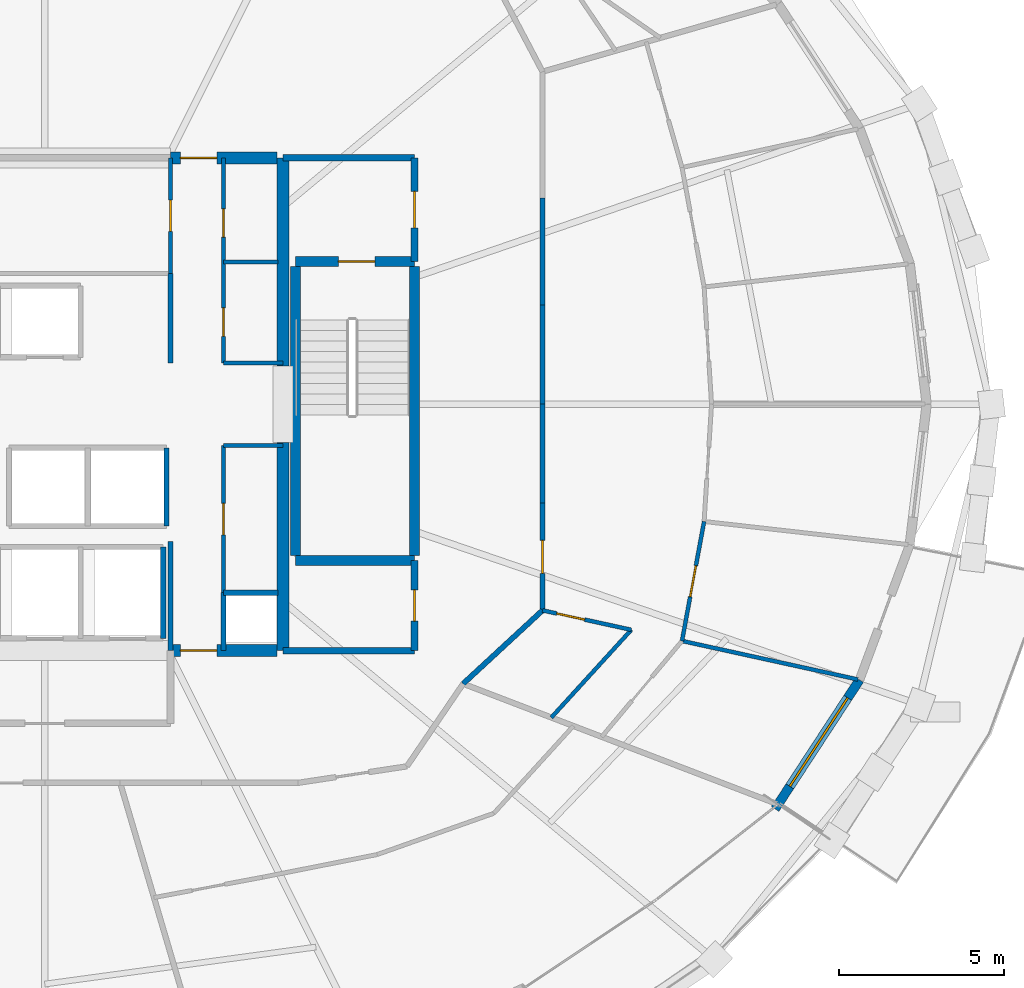
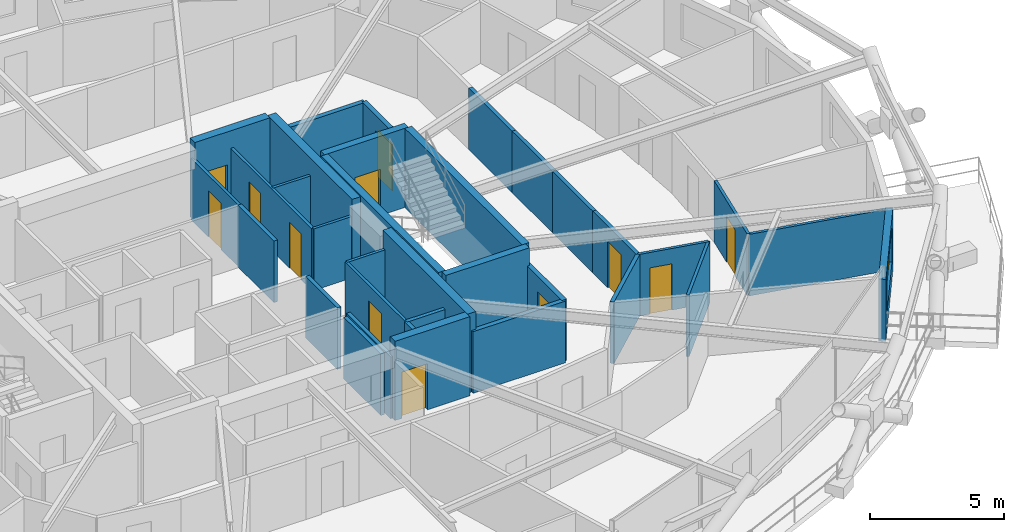
# One storey, part 9 of 12: 34 walls, 12 doors, 1 window, 13 openings.
"""IFC4 building model written with IfcOpenShell, lengths in metres."""

from ifc_helpers import new_model, si_unit, direction, frame, frame_2d, origin, place, context, subcontext, project, spatial, rectangle, extrude, material, layer, layer_set, type_object, element, fill, save


model = new_model("IFC4")

# Units and contexts
model_context = context("Model", 3, precision=1e-05, world=origin(), true_north=direction((0.0, 1.0)))
body_context = subcontext(model_context, "Body", "Model", "MODEL_VIEW")
ifc_project = project(units=[si_unit("LENGTHUNIT", "METRE"), si_unit("AREAUNIT", "SQUARE_METRE"), si_unit("VOLUMEUNIT", "CUBIC_METRE"), si_unit("PLANEANGLEUNIT", "RADIAN"), si_unit("MASSUNIT", "GRAM", prefix="KILO")], contexts=[model_context])

# Site, building, storey
site_placement = place(None, origin())
site = spatial("IfcSite", under=ifc_project, at=site_placement, CompositionType="ELEMENT")
building_placement = place(site_placement, origin())
building = spatial("IfcBuilding", under=site, at=building_placement, Name="Veldorina Hangang Commons", CompositionType="ELEMENT")
storey_placement = place(building_placement, frame((0.0, 0.0, 124.39990234375)))
storey = spatial("IfcBuildingStorey", under=building, at=storey_placement, Name="L31", CompositionType="ELEMENT", Elevation=124.39990234375)

# Walls
ifc_material_1 = material(Name="Concrete C60/75", Category="concrete")
ifc_layer_1 = layer(ifc_material_1, 0.360107421875)
ifc_layer_set_1 = layer_set([ifc_layer_1], Name="Concrete C60/75")
wall_type_1 = type_object("IfcWallType", Name="CW-RC360-C60", PredefinedType="SHEAR", material=ifc_layer_set_1)
for number, where, z_axis, x_axis, name in (
    (1, (39.199951171875, 16.550048828125, 0.0), (0.0, 0.0, 1.0), (0.0, 1.0, 0.0), "L31 E south core shear wall"),
    (2, (39.199951171875, 25.14990234375, 0.0), (0.0, 0.0, 1.0), (0.0, 1.0, 0.0), "L31 E north core shear wall"),
):
    element("IfcWall", number, at=place(storey_placement, frame(where, z_axis=z_axis, x_axis=x_axis)), inside=storey, type_object=wall_type_1, Name=name, PredefinedType="SHEAR", context=body_context, shape_type="SweptSolid", body=[
        extrude(rectangle(XDim=6.300048828125, YDim=0.360107421875, at=frame_2d((3.14990234375, 0.0))), origin(), (0.0, 0.0, 1.0), 3.60009765625),
    ])

# Wall, opening, door
wall_1_placement = place(storey_placement, frame((35.800048828125, 16.550048828125, 0.0), z_axis=(0.0, 0.0, 1.0), x_axis=(1.0, 0.0, 0.0)))
wall_1 = element("IfcWall", 3, at=wall_1_placement, inside=storey, type_object=wall_type_1, Name="L31 south-east core shear wall", PredefinedType="SHEAR", context=body_context, shape_type="SweptSolid", body=[
    extrude(rectangle(XDim=3.219970703125, YDim=0.360107421875, at=frame_2d((1.60986328125, 0.0))), origin(), (0.0, 0.0, 1.0), 3.60009765625),
])
opening_1_placement = place(wall_1_placement, frame((0.300048828125, 0.0, 0.0)))
opening_1 = element("IfcOpeningElement", 4, at=opening_1_placement, cuts=wall_1, Name="Opening D-08", PredefinedType="OPENING", context=body_context, shape_type="SweptSolid", body=[
    extrude(rectangle(XDim=1.10009765625, YDim=2.10009765625, at=frame_2d((0.550048828125, 1.050048828125))), frame((0.0, 0.18994140625, 0.0), z_axis=(0.0, -1.0, 0.0), x_axis=(1.0, 0.0, 0.0)), (0.0, 0.0, 1.0), 0.380126953125),
])
ifc_material_2 = material(Name="Steel Fire-Rated Smoke Seal", Category="steel")
door_type_1 = type_object("IfcDoorType", Name="DR-FIRE-1100", OperationType="SINGLE_SWING_RIGHT", PredefinedType="DOOR", material=ifc_material_2)
door_1_placement = place(opening_1_placement, origin())
door_1 = element("IfcDoor", 5, at=door_1_placement, inside=storey, type_object=door_type_1, Name="L31 central lift lobby south corridor door", OperationType="SINGLE_SWING_RIGHT", OverallHeight=2.10009765625, OverallWidth=1.10009765625, PredefinedType="DOOR", context=body_context, shape_type="SweptSolid", body=[
    extrude(rectangle(XDim=1.10009765625, YDim=2.10009765625, at=frame_2d((0.550048828125, 1.050048828125))), frame((0.0, 0.02490234375, 0.0), z_axis=(0.0, -1.0, 0.0), x_axis=(1.0, 0.0, 0.0)), (0.0, 0.0, 1.0), 0.050048828125),
])
fill(opening_1, door_1)

wall_2_placement = place(storey_placement, frame((35.800048828125, 31.449951171875, 0.0), z_axis=(0.0, 0.0, 1.0), x_axis=(1.0, 0.0, 0.0)))
wall_2 = element("IfcWall", 6, at=wall_2_placement, inside=storey, type_object=wall_type_1, Name="L31 north-east core shear wall", PredefinedType="SHEAR", context=body_context, shape_type="SweptSolid", body=[
    extrude(rectangle(XDim=3.219970703125, YDim=0.360107421875, at=frame_2d((1.60986328125, 0.0))), origin(), (0.0, 0.0, 1.0), 3.60009765625),
])
opening_2_placement = place(wall_2_placement, frame((0.300048828125, 0.0, 0.0)))
opening_2 = element("IfcOpeningElement", 7, at=opening_2_placement, cuts=wall_2, Name="Opening D-08", PredefinedType="OPENING", context=body_context, shape_type="SweptSolid", body=[
    extrude(rectangle(XDim=1.10009765625, YDim=2.10009765625, at=frame_2d((0.550048828125, 1.050048828125))), frame((0.0, 0.18994140625, 0.0), z_axis=(0.0, -1.0, 0.0), x_axis=(1.0, 0.0, 0.0)), (0.0, 0.0, 1.0), 0.380126953125),
])
door_2_placement = place(opening_2_placement, origin())
door_2 = element("IfcDoor", 8, at=door_2_placement, inside=storey, type_object=door_type_1, Name="L31 central lift lobby north corridor door", OperationType="SINGLE_SWING_LEFT", OverallHeight=2.10009765625, OverallWidth=1.10009765625, PredefinedType="DOOR", context=body_context, shape_type="SweptSolid", body=[
    extrude(rectangle(XDim=1.10009765625, YDim=2.10009765625, at=frame_2d((0.550048828125, 1.050048828125))), frame((0.0, 0.02490234375, 0.0), z_axis=(0.0, -1.0, 0.0), x_axis=(1.0, 0.0, 0.0)), (0.0, 0.0, 1.0), 0.050048828125),
])
fill(opening_2, door_2)

# Wall, opening, window
ifc_material_3 = material(Name="Stone Roman Travertine", Category="masonry")
ifc_layer_2 = layer(ifc_material_3, 0.280029296875)
ifc_layer_set_2 = layer_set([ifc_layer_2], Name="Stone Roman Travertine")
wall_type_2 = type_object("IfcWallType", Name="EW-TRAV-280", PredefinedType="STANDARD", material=ifc_layer_set_2)
wall_3_placement = place(storey_placement, frame((54.08251953125, 11.76318359375, 0.0), z_axis=(0.0, 0.0, 1.0), x_axis=(0.54762586096, 0.8367233213, 0.0)))
wall_3 = element("IfcWall", 9, at=wall_3_placement, inside=storey, type_object=wall_type_2, Name="L31 travertine facade wall 29", PredefinedType="STANDARD", context=body_context, shape_type="SweptSolid", body=[
    extrude(rectangle(XDim=4.6640625, YDim=0.280029296875, at=frame_2d((2.33203125, 0.0))), origin(), (0.0, 0.0, 1.0), 2.820068359375),
])
opening_3_placement = place(wall_3_placement, frame((0.81396484375, 0.0, 0.800048828125)))
opening_3 = element("IfcOpeningElement", 10, at=opening_3_placement, cuts=wall_3, Name="Opening W-01", PredefinedType="OPENING", context=body_context, shape_type="SweptSolid", body=[
    extrude(rectangle(XDim=3.199951171875, YDim=1.64990234375, at=frame_2d((1.60009765625, 0.824951171875))), frame((0.0, 0.14990234375, 0.0), z_axis=(0.0, -1.0, 0.0), x_axis=(1.0, 0.0, 0.0)), (0.0, 0.0, 1.0), 0.300048828125),
])
ifc_material_4 = material(Name="Glass Low-E Triple IGU", Category="glass")
window_type = type_object("IfcWindowType", Name="WIN-TWR-3200", PartitioningType="SINGLE_PANEL", PredefinedType="WINDOW", material=ifc_material_4)
window_placement = place(opening_3_placement, origin())
window = element("IfcWindow", 11, at=window_placement, inside=storey, type_object=window_type, Name="L31 facade window 29", OverallHeight=1.64990234375, OverallWidth=3.199951171875, PartitioningType="SINGLE_PANEL", PredefinedType="WINDOW", context=body_context, shape_type="SweptSolid", body=[
    extrude(rectangle(XDim=3.199951171875, YDim=1.64990234375, at=frame_2d((1.60009765625, 0.824951171875))), frame((0.0, 0.030029296875, 0.0), z_axis=(0.0, -1.0, 0.0), x_axis=(1.0, 0.0, 0.0)), (0.0, 0.0, 1.0), 0.06005859375),
])
fill(opening_3, window)

# Walls
ifc_material_5 = material(Name="Concrete C50/60", Category="concrete")
ifc_layer_3 = layer(ifc_material_5, 0.300048828125)
ifc_layer_set_3 = layer_set([ifc_layer_3], Name="Concrete C50/60")
wall_type_3 = type_object("IfcWallType", Name="SW-STAIR-300", PredefinedType="SHEAR", material=ifc_layer_set_3)
for number, where, z_axis, x_axis, name in (
    (12, (43.179931640625, 19.429931640625, 0.0), (0.0, 0.0, 1.0), (0.0, 1.0, 0.0), "L31 ST2 outer stair shear wall"),
    (13, (39.580078125, 19.429931640625, 0.0), (0.0, 0.0, 1.0), (0.0, 1.0, 0.0), "L31 ST2 inner stair shear wall"),
):
    element("IfcWall", number, at=place(storey_placement, frame(where, z_axis=z_axis, x_axis=x_axis)), inside=storey, type_object=wall_type_3, Name=name, PredefinedType="SHEAR", context=body_context, shape_type="SweptSolid", body=[
        extrude(rectangle(XDim=8.739990234375, YDim=0.300048828125, at=frame_2d((4.3701171875, 0.0))), origin(), (0.0, 0.0, 1.0), 3.60009765625),
    ])
wall_4_placement = place(storey_placement, frame((39.580078125, 19.280029296875, 0.0), z_axis=(0.0, 0.0, 1.0), x_axis=(1.0, 0.0, 0.0)))
element("IfcWall", 14, at=wall_4_placement, inside=storey, type_object=wall_type_3, Name="L31 ST2 south stair shear wall", PredefinedType="SHEAR", context=body_context, shape_type="SweptSolid", body=[
    extrude(rectangle(XDim=3.599853515625, YDim=0.300048828125, at=frame_2d((1.7998046875, 0.0))), origin(), (0.0, 0.0, 1.0), 3.60009765625),
])

# Wall, opening, door
wall_5_placement = place(storey_placement, frame((39.580078125, 28.320068359375, 0.0), z_axis=(0.0, 0.0, 1.0), x_axis=(1.0, 0.0, 0.0)))
wall_5 = element("IfcWall", 15, at=wall_5_placement, inside=storey, type_object=wall_type_3, Name="L31 ST2 north stair shear wall", PredefinedType="SHEAR", context=body_context, shape_type="SweptSolid", body=[
    extrude(rectangle(XDim=3.599853515625, YDim=0.300048828125, at=frame_2d((1.7998046875, 0.0))), origin(), (0.0, 0.0, 1.0), 3.60009765625),
])
opening_4_placement = place(wall_5_placement, frame((1.300048828125, 0.0, 0.0)))
opening_4 = element("IfcOpeningElement", 16, at=opening_4_placement, cuts=wall_5, Name="Opening D-08", PredefinedType="OPENING", context=body_context, shape_type="SweptSolid", body=[
    extrude(rectangle(XDim=1.10009765625, YDim=2.10009765625, at=frame_2d((0.550048828125, 1.050048828125))), frame((0.0, 0.16015625, 0.0), z_axis=(0.0, -1.0, 0.0), x_axis=(1.0, 0.0, 0.0)), (0.0, 0.0, 1.0), 0.320068359375),
])
door_3_placement = place(opening_4_placement, origin())
door_3 = element("IfcDoor", 17, at=door_3_placement, inside=storey, type_object=door_type_1, Name="L31 Special Escape Stair ST-2 door", OperationType="SINGLE_SWING_RIGHT", OverallHeight=2.10009765625, OverallWidth=1.10009765625, PredefinedType="DOOR", context=body_context, shape_type="SweptSolid", body=[
    extrude(rectangle(XDim=1.10009765625, YDim=2.10009765625, at=frame_2d((0.550048828125, 1.050048828125))), frame((0.0, 0.02490234375, 0.0), z_axis=(0.0, -1.0, 0.0), x_axis=(1.0, 0.0, 0.0)), (0.0, 0.0, 1.0), 0.050048828125),
])
fill(opening_4, door_3)

# Walls
ifc_material_6 = material(Name="Gypsum Fire-Rated Twin Stud Wall", Category="gypsum")
ifc_layer_4 = layer(ifc_material_6, 0.159912109375)
ifc_layer_set_4 = layer_set([ifc_layer_4], Name="Gypsum Fire-Rated Twin Stud Wall")
wall_type_4 = type_object("IfcWallType", Name="WL-FIRE-160", PredefinedType="SOLIDWALL", material=ifc_layer_set_4)
wall_6_placement = place(storey_placement, frame((35.800048828125, 16.550048828125, 0.0), z_axis=(0.0, 0.0, 1.0), x_axis=(0.0, 1.0, 0.0)))
element("IfcWall", 18, at=wall_6_placement, inside=storey, type_object=wall_type_4, Name="L31 Lift passage SW wall 009", PredefinedType="SOLIDWALL", context=body_context, shape_type="SweptSolid", body=[
    extrude(rectangle(XDim=3.300048828125, YDim=0.159912109375, at=frame_2d((1.64990234375, 0.0))), origin(), (0.0, 0.0, 1.0), 2.800048828125),
])
wall_7_placement = place(storey_placement, frame((37.39990234375, 16.550048828125, 0.0), z_axis=(0.0, 0.0, 1.0), x_axis=(0.0, 1.0, 0.0)))
element("IfcWall", 19, at=wall_7_placement, inside=storey, type_object=wall_type_4, Name="L31 Lift passage SE stub 010", PredefinedType="SOLIDWALL", context=body_context, shape_type="SweptSolid", body=[
    extrude(rectangle(XDim=1.75, YDim=0.159912109375, at=frame_2d((0.875, 0.0))), origin(), (0.0, 0.0, 1.0), 2.800048828125),
])
wall_8_placement = place(storey_placement, frame((35.800048828125, 25.25, 0.0), z_axis=(0.0, 0.0, 1.0), x_axis=(0.0, 1.0, 0.0)))
element("IfcWall", 20, at=wall_8_placement, inside=storey, type_object=wall_type_4, Name="L31 Lift passage NW lower wall 011", PredefinedType="SOLIDWALL", context=body_context, shape_type="SweptSolid", body=[
    extrude(rectangle(XDim=2.699951171875, YDim=0.159912109375, at=frame_2d((1.35009765625, 0.0))), origin(), (0.0, 0.0, 1.0), 2.800048828125),
])
wall_9_placement = place(storey_placement, frame((35.679931640625, 20.320068359375, 0.0), z_axis=(0.0, 0.0, 1.0), x_axis=(0.0, 1.0, 0.0)))
element("IfcWall", 21, at=wall_9_placement, inside=storey, type_object=wall_type_4, Name="L31 SL-2 east shaft wall 024", PredefinedType="SOLIDWALL", context=body_context, shape_type="SweptSolid", body=[
    extrude(rectangle(XDim=2.35986328125, YDim=0.159912109375, at=frame_2d((1.179931640625, 0.0))), origin(), (0.0, 0.0, 1.0), 2.800048828125),
])
wall_10_placement = place(storey_placement, frame((35.580078125, 16.919921875, 0.0), z_axis=(0.0, 0.0, 1.0), x_axis=(0.0, 1.0, 0.0)))
element("IfcWall", 22, at=wall_10_placement, inside=storey, type_object=wall_type_4, Name="L31 EVL-1 east shaft wall 030", PredefinedType="SOLIDWALL", context=body_context, shape_type="SweptSolid", body=[
    extrude(rectangle(XDim=2.760009765625, YDim=0.159912109375, at=frame_2d((1.3798828125, 0.0))), origin(), (0.0, 0.0, 1.0), 2.800048828125),
])
wall_11_placement = place(storey_placement, frame((37.39990234375, 18.300048828125, 0.0), z_axis=(0.0, 0.0, 1.0), x_axis=(1.0, 0.0, 0.0)))
element("IfcWall", 23, at=wall_11_placement, inside=storey, type_object=wall_type_4, Name="L31 Plumbing riser wall 036", PredefinedType="SOLIDWALL", context=body_context, shape_type="SweptSolid", body=[
    extrude(rectangle(XDim=1.650146484375, YDim=0.159912109375, at=frame_2d((0.8251953125, 0.0))), origin(), (0.0, 0.0, 1.0), 2.800048828125),
])
wall_12_placement = place(storey_placement, frame((47.050048828125, 24.0, 0.0), z_axis=(0.0, 0.0, 1.0), x_axis=(0.0, 1.0, 0.0)))
element("IfcWall", 24, at=wall_12_placement, inside=storey, type_object=wall_type_4, Name="L31 U-corridor outer wall 00 046", PredefinedType="SOLIDWALL", context=body_context, shape_type="SweptSolid", body=[
    extrude(rectangle(XDim=2.99365234375, YDim=0.159912109375, at=frame_2d((1.496826171875, 0.0))), origin(), (0.0, 0.0, 1.0), 2.800048828125),
])
wall_13_placement = place(storey_placement, frame((47.050048828125, 26.99365234375, 0.0), z_axis=(0.0, 0.0, 1.0), x_axis=(0.0, 1.0, 0.0)))
element("IfcWall", 25, at=wall_13_placement, inside=storey, type_object=wall_type_4, Name="L31 U-corridor outer wall 01 047", PredefinedType="SOLIDWALL", context=body_context, shape_type="SweptSolid", body=[
    extrude(rectangle(XDim=3.240234375, YDim=0.159912109375, at=frame_2d((1.6201171875, 0.0))), origin(), (0.0, 0.0, 1.0), 2.800048828125),
])
wall_14_placement = place(storey_placement, frame((44.64990234375, 15.547607421875, 0.0), z_axis=(0.0, 0.0, 1.0), x_axis=(0.734347936521, 0.678773237633, 0.0)))
element("IfcWall", 26, at=wall_14_placement, inside=storey, type_object=wall_type_4, Name="L31 U-corridor outer wall 29 075", PredefinedType="SOLIDWALL", context=body_context, shape_type="SweptSolid", body=[
    extrude(rectangle(XDim=3.268310546875, YDim=0.159912109375, at=frame_2d((1.63427734375, 0.0))), origin(), (0.0, 0.0, 1.0), 2.800048828125),
])

# Wall, opening, door
wall_15_placement = place(storey_placement, frame((47.050048828125, 17.76611328125, 0.0), z_axis=(0.0, 0.0, 1.0), x_axis=(0.0, 1.0, 0.0)))
wall_15 = element("IfcWall", 27, at=wall_15_placement, inside=storey, type_object=wall_type_4, Name="L31 U-corridor outer wall 30 076", PredefinedType="SOLIDWALL", context=body_context, shape_type="SweptSolid", body=[
    extrude(rectangle(XDim=3.240234375, YDim=0.159912109375, at=frame_2d((1.6201171875, 0.0))), origin(), (0.0, 0.0, 1.0), 2.800048828125),
])
opening_5_placement = place(wall_15_placement, frame((1.1201171875, 0.0, 0.0)))
opening_5 = element("IfcOpeningElement", 28, at=opening_5_placement, cuts=wall_15, Name="Opening D-06", PredefinedType="OPENING", context=body_context, shape_type="SweptSolid", body=[
    extrude(rectangle(XDim=1.0, YDim=2.10009765625, at=frame_2d((0.5, 1.050048828125))), frame((0.0, 0.08984375, 0.0), z_axis=(0.0, -1.0, 0.0), x_axis=(1.0, 0.0, 0.0)), (0.0, 0.0, 1.0), 0.179931640625),
])
ifc_material_7 = material(Name="Timber Fire-Rated Entrance Core", Category="wood")
door_type_2 = type_object("IfcDoorType", Name="DR-UNIT-1000", OperationType="SINGLE_SWING_LEFT", PredefinedType="DOOR", material=ifc_material_7)
door_4_placement = place(opening_5_placement, origin())
door_4 = element("IfcDoor", 29, at=door_4_placement, inside=storey, type_object=door_type_2, Name="L31 Cluster 2 entrance door 021", OperationType="SINGLE_SWING_LEFT", OverallHeight=2.10009765625, OverallWidth=1.0, PredefinedType="DOOR", context=body_context, shape_type="SweptSolid", body=[
    extrude(rectangle(XDim=1.0, YDim=2.10009765625, at=frame_2d((0.5, 1.050048828125))), frame((0.0, 0.02490234375, 0.0), z_axis=(0.0, -1.0, 0.0), x_axis=(1.0, 0.0, 0.0)), (0.0, 0.0, 1.0), 0.050048828125),
])
fill(opening_5, door_4)

# Wall
wall_16_placement = place(storey_placement, frame((47.050048828125, 21.00634765625, 0.0), z_axis=(0.0, 0.0, 1.0), x_axis=(0.0, 1.0, 0.0)))
element("IfcWall", 30, at=wall_16_placement, inside=storey, type_object=wall_type_4, Name="L31 U-corridor outer wall 31 077", PredefinedType="SOLIDWALL", context=body_context, shape_type="SweptSolid", body=[
    extrude(rectangle(XDim=2.99365234375, YDim=0.159912109375, at=frame_2d((1.496826171875, 0.0))), origin(), (0.0, 0.0, 1.0), 2.800048828125),
])

# Wall, opening, door
ifc_material_8 = material(Name="Concrete Blockwork Fire Wall C30/37", Category="masonry")
ifc_layer_5 = layer(ifc_material_8, 0.199951171875)
ifc_layer_set_5 = layer_set([ifc_layer_5], Name="Concrete Blockwork Fire Wall C30/37")
wall_type_5 = type_object("IfcWallType", Name="WL-FIRE-200", PredefinedType="SOLIDWALL", material=ifc_layer_set_5)
wall_17_placement = place(storey_placement, frame((43.179931640625, 28.320068359375, 0.0), z_axis=(0.0, 0.0, 1.0), x_axis=(0.0, 1.0, 0.0)))
wall_17 = element("IfcWall", 31, at=wall_17_placement, inside=storey, type_object=wall_type_5, Name="L31 East vestibule outer wall 003", PredefinedType="SOLIDWALL", context=body_context, shape_type="SweptSolid", body=[
    extrude(rectangle(XDim=3.1298828125, YDim=0.199951171875, at=frame_2d((1.56494140625, 0.0))), origin(), (0.0, 0.0, 1.0), 2.800048828125),
])
opening_6_placement = place(wall_17_placement, frame((1.014892578125, 0.0, 0.0)))
opening_6 = element("IfcOpeningElement", 32, at=opening_6_placement, cuts=wall_17, Name="Opening D-08", PredefinedType="OPENING", context=body_context, shape_type="SweptSolid", body=[
    extrude(rectangle(XDim=1.10009765625, YDim=2.10009765625, at=frame_2d((0.550048828125, 1.050048828125))), frame((0.0, 0.10986328125, 0.0), z_axis=(0.0, -1.0, 0.0), x_axis=(1.0, 0.0, 0.0)), (0.0, 0.0, 1.0), 0.219970703125),
])
door_5_placement = place(opening_6_placement, origin())
door_5 = element("IfcDoor", 33, at=door_5_placement, inside=storey, type_object=door_type_1, Name="L31 East vestibule east door 002", OperationType="SINGLE_SWING_RIGHT", OverallHeight=2.10009765625, OverallWidth=1.10009765625, PredefinedType="DOOR", context=body_context, shape_type="SweptSolid", body=[
    extrude(rectangle(XDim=1.10009765625, YDim=2.10009765625, at=frame_2d((0.550048828125, 1.050048828125))), frame((0.0, 0.02490234375, 0.0), z_axis=(0.0, -1.0, 0.0), x_axis=(1.0, 0.0, 0.0)), (0.0, 0.0, 1.0), 0.050048828125),
])
fill(opening_6, door_5)

# Wall
wall_18_placement = place(storey_placement, frame((39.199951171875, 31.449951171875, 0.0), z_axis=(0.0, 0.0, 1.0), x_axis=(1.0, 0.0, 0.0)))
element("IfcWall", 34, at=wall_18_placement, inside=storey, type_object=wall_type_5, Name="L31 East vestibule north wall 004", PredefinedType="SOLIDWALL", context=body_context, shape_type="SweptSolid", body=[
    extrude(rectangle(XDim=3.97998046875, YDim=0.199951171875, at=frame_2d((1.989990234375, 0.0))), origin(), (0.0, 0.0, 1.0), 2.800048828125),
])

# Wall, opening, door
wall_19_placement = place(storey_placement, frame((43.179931640625, 16.550048828125, 0.0), z_axis=(0.0, 0.0, 1.0), x_axis=(0.0, 1.0, 0.0)))
wall_19 = element("IfcWall", 35, at=wall_19_placement, inside=storey, type_object=wall_type_5, Name="L31 SE core room outer wall 007", PredefinedType="SOLIDWALL", context=body_context, shape_type="SweptSolid", body=[
    extrude(rectangle(XDim=2.72998046875, YDim=0.199951171875, at=frame_2d((1.364990234375, 0.0))), origin(), (0.0, 0.0, 1.0), 2.800048828125),
])
opening_7_placement = place(wall_19_placement, frame((0.889892578125, 0.0, 0.0)))
opening_7 = element("IfcOpeningElement", 36, at=opening_7_placement, cuts=wall_19, Name="Opening D-02", PredefinedType="OPENING", context=body_context, shape_type="SweptSolid", body=[
    extrude(rectangle(XDim=0.949951171875, YDim=2.10009765625, at=frame_2d((0.47509765625, 1.050048828125))), frame((0.0, 0.10986328125, 0.0), z_axis=(0.0, -1.0, 0.0), x_axis=(1.0, 0.0, 0.0)), (0.0, 0.0, 1.0), 0.219970703125),
])
ifc_material_9 = material(Name="Timber Solid Core Acoustic", Category="wood")
door_type_3 = type_object("IfcDoorType", Name="DR-INT-950", OperationType="SINGLE_SWING_LEFT", PredefinedType="DOOR", material=ifc_material_9)
door_6_placement = place(opening_7_placement, origin())
door_6 = element("IfcDoor", 37, at=door_6_placement, inside=storey, type_object=door_type_3, Name="L31 SE core WC door 004", OperationType="SINGLE_SWING_RIGHT", OverallHeight=2.10009765625, OverallWidth=0.949951171875, PredefinedType="DOOR", context=body_context, shape_type="SweptSolid", body=[
    extrude(rectangle(XDim=0.949951171875, YDim=2.10009765625, at=frame_2d((0.47509765625, 1.050048828125))), frame((0.0, 0.02490234375, 0.0), z_axis=(0.0, -1.0, 0.0), x_axis=(1.0, 0.0, 0.0)), (0.0, 0.0, 1.0), 0.050048828125),
])
fill(opening_7, door_6)

# Wall
wall_20_placement = place(storey_placement, frame((39.199951171875, 16.550048828125, 0.0), z_axis=(0.0, 0.0, 1.0), x_axis=(1.0, 0.0, 0.0)))
element("IfcWall", 38, at=wall_20_placement, inside=storey, type_object=wall_type_5, Name="L31 SE core room south wall 008", PredefinedType="SOLIDWALL", context=body_context, shape_type="SweptSolid", body=[
    extrude(rectangle(XDim=3.97998046875, YDim=0.199951171875, at=frame_2d((1.989990234375, 0.0))), origin(), (0.0, 0.0, 1.0), 2.800048828125),
])

# Wall, opening, door
ifc_material_10 = material(Name="Gypsum Acoustic Stud Partition", Category="gypsum")
ifc_layer_6 = layer(ifc_material_10, 0.1201171875)
ifc_layer_set_6 = layer_set([ifc_layer_6], Name="Gypsum Acoustic Stud Partition")
wall_type_6 = type_object("IfcWallType", Name="WL-PART-120", PredefinedType="PARTITIONING", material=ifc_layer_set_6)
wall_21_placement = place(storey_placement, frame((35.800048828125, 27.949951171875, 0.0), z_axis=(0.0, 0.0, 1.0), x_axis=(0.0, 1.0, 0.0)))
wall_21 = element("IfcWall", 39, at=wall_21_placement, inside=storey, type_object=wall_type_6, Name="L31 Merged north east wall 033", PredefinedType="PARTITIONING", context=body_context, shape_type="SweptSolid", body=[
    extrude(rectangle(XDim=3.5, YDim=0.1201171875, at=frame_2d((1.75, 0.0))), origin(), (0.0, 0.0, 1.0), 2.800048828125),
])
opening_8_placement = place(wall_21_placement, frame((1.27490234375, 0.0, 0.0)))
opening_8 = element("IfcOpeningElement", 40, at=opening_8_placement, cuts=wall_21, Name="Opening D-02", PredefinedType="OPENING", context=body_context, shape_type="SweptSolid", body=[
    extrude(rectangle(XDim=0.949951171875, YDim=2.10009765625, at=frame_2d((0.47509765625, 1.050048828125))), frame((0.0, 0.070068359375, 0.0), z_axis=(0.0, -1.0, 0.0), x_axis=(1.0, 0.0, 0.0)), (0.0, 0.0, 1.0), 0.14013671875),
])
door_7_placement = place(opening_8_placement, origin())
door_7 = element("IfcDoor", 41, at=door_7_placement, inside=storey, type_object=door_type_3, Name="L31 Merged north room lobby door 011", OperationType="SINGLE_SWING_LEFT", OverallHeight=2.10009765625, OverallWidth=0.949951171875, PredefinedType="DOOR", context=body_context, shape_type="SweptSolid", body=[
    extrude(rectangle(XDim=0.949951171875, YDim=2.10009765625, at=frame_2d((0.47509765625, 1.050048828125))), frame((0.0, 0.02490234375, 0.0), z_axis=(0.0, -1.0, 0.0), x_axis=(1.0, 0.0, 0.0)), (0.0, 0.0, 1.0), 0.050048828125),
])
fill(opening_8, door_7)

# Wall, openings, doors
wall_22_placement = place(storey_placement, frame((37.39990234375, 25.25, 0.0), z_axis=(0.0, 0.0, 1.0), x_axis=(0.0, 1.0, 0.0)))
wall_22 = element("IfcWall", 42, at=wall_22_placement, inside=storey, type_object=wall_type_6, Name="L31 NE strip lobby wall 040", PredefinedType="PARTITIONING", context=body_context, shape_type="SweptSolid", body=[
    extrude(rectangle(XDim=6.199951171875, YDim=0.1201171875, at=frame_2d((3.10009765625, 0.0))), origin(), (0.0, 0.0, 1.0), 2.800048828125),
])
opening_9_placement = place(wall_22_placement, frame((0.800048828125, 0.0, 0.0)))
opening_9 = element("IfcOpeningElement", 43, at=opening_9_placement, cuts=wall_22, Name="Opening D-01", PredefinedType="OPENING", context=body_context, shape_type="SweptSolid", body=[
    extrude(rectangle(XDim=0.860107421875, YDim=2.10009765625, at=frame_2d((0.43017578125, 1.050048828125))), frame((0.0, 0.070068359375, 0.0), z_axis=(0.0, -1.0, 0.0), x_axis=(1.0, 0.0, 0.0)), (0.0, 0.0, 1.0), 0.14013671875),
])
opening_10_placement = place(wall_22_placement, frame((3.800048828125, 0.0, 0.0)))
opening_10 = element("IfcOpeningElement", 44, at=opening_10_placement, cuts=wall_22, Name="Opening D-01", PredefinedType="OPENING", context=body_context, shape_type="SweptSolid", body=[
    extrude(rectangle(XDim=0.860107421875, YDim=2.10009765625, at=frame_2d((0.43017578125, 1.050048828125))), frame((0.0, 0.070068359375, 0.0), z_axis=(0.0, -1.0, 0.0), x_axis=(1.0, 0.0, 0.0)), (0.0, 0.0, 1.0), 0.14013671875),
])
ifc_material_11 = material(Name="Timber Moisture-Resistant Core", Category="wood")
door_type_4 = type_object("IfcDoorType", Name="DR-WET-860", OperationType="SINGLE_SWING_LEFT", PredefinedType="DOOR", material=ifc_material_11)
door_8_placement = place(opening_9_placement, origin())
door_8 = element("IfcDoor", 45, at=door_8_placement, inside=storey, type_object=door_type_4, Name="L31 Electrical closet door 015", OperationType="SINGLE_SWING_LEFT", OverallHeight=2.10009765625, OverallWidth=0.860107421875, PredefinedType="DOOR", context=body_context, shape_type="SweptSolid", body=[
    extrude(rectangle(XDim=0.860107421875, YDim=2.10009765625, at=frame_2d((0.43017578125, 1.050048828125))), frame((0.0, 0.02490234375, 0.0), z_axis=(0.0, -1.0, 0.0), x_axis=(1.0, 0.0, 0.0)), (0.0, 0.0, 1.0), 0.050048828125),
])
fill(opening_9, door_8)
door_9_placement = place(opening_10_placement, origin())
door_9 = element("IfcDoor", 46, at=door_9_placement, inside=storey, type_object=door_type_4, Name="L31 IT closet door 016", OperationType="SINGLE_SWING_RIGHT", OverallHeight=2.10009765625, OverallWidth=0.860107421875, PredefinedType="DOOR", context=body_context, shape_type="SweptSolid", body=[
    extrude(rectangle(XDim=0.860107421875, YDim=2.10009765625, at=frame_2d((0.43017578125, 1.050048828125))), frame((0.0, 0.02490234375, 0.0), z_axis=(0.0, -1.0, 0.0), x_axis=(1.0, 0.0, 0.0)), (0.0, 0.0, 1.0), 0.050048828125),
])
fill(opening_10, door_9)

# Wall
wall_23_placement = place(storey_placement, frame((37.39990234375, 25.25, 0.0), z_axis=(0.0, 0.0, 1.0), x_axis=(1.0, 0.0, 0.0)))
element("IfcWall", 47, at=wall_23_placement, inside=storey, type_object=wall_type_6, Name="L31 NE strip south return wall 041", PredefinedType="PARTITIONING", context=body_context, shape_type="SweptSolid", body=[
    extrude(rectangle(XDim=1.800048828125, YDim=0.1201171875, at=frame_2d((0.89990234375, 0.0))), origin(), (0.0, 0.0, 1.0), 2.800048828125),
])

# Wall, opening, door
wall_24_placement = place(storey_placement, frame((37.39990234375, 18.300048828125, 0.0), z_axis=(0.0, 0.0, 1.0), x_axis=(0.0, 1.0, 0.0)))
wall_24 = element("IfcWall", 48, at=wall_24_placement, inside=storey, type_object=wall_type_6, Name="L31 SE strip lobby wall 042", PredefinedType="PARTITIONING", context=body_context, shape_type="SweptSolid", body=[
    extrude(rectangle(XDim=4.449951171875, YDim=0.1201171875, at=frame_2d((2.22509765625, 0.0))), origin(), (0.0, 0.0, 1.0), 2.800048828125),
])
opening_11_placement = place(wall_24_placement, frame((1.75, 0.0, 0.0)))
opening_11 = element("IfcOpeningElement", 49, at=opening_11_placement, cuts=wall_24, Name="Opening D-02", PredefinedType="OPENING", context=body_context, shape_type="SweptSolid", body=[
    extrude(rectangle(XDim=0.949951171875, YDim=2.10009765625, at=frame_2d((0.47509765625, 1.050048828125))), frame((0.0, 0.070068359375, 0.0), z_axis=(0.0, -1.0, 0.0), x_axis=(1.0, 0.0, 0.0)), (0.0, 0.0, 1.0), 0.14013671875),
])
door_10_placement = place(opening_11_placement, origin())
door_10 = element("IfcDoor", 50, at=door_10_placement, inside=storey, type_object=door_type_3, Name="L31 Cleaners supply door 017", OperationType="SINGLE_SWING_LEFT", OverallHeight=2.10009765625, OverallWidth=0.949951171875, PredefinedType="DOOR", context=body_context, shape_type="SweptSolid", body=[
    extrude(rectangle(XDim=0.949951171875, YDim=2.10009765625, at=frame_2d((0.47509765625, 1.050048828125))), frame((0.0, 0.02490234375, 0.0), z_axis=(0.0, -1.0, 0.0), x_axis=(1.0, 0.0, 0.0)), (0.0, 0.0, 1.0), 0.050048828125),
])
fill(opening_11, door_10)

# Walls
wall_25_placement = place(storey_placement, frame((37.39990234375, 22.75, 0.0), z_axis=(0.0, 0.0, 1.0), x_axis=(1.0, 0.0, 0.0)))
element("IfcWall", 51, at=wall_25_placement, inside=storey, type_object=wall_type_6, Name="L31 SE strip north return wall 043", PredefinedType="PARTITIONING", context=body_context, shape_type="SweptSolid", body=[
    extrude(rectangle(XDim=1.800048828125, YDim=0.1201171875, at=frame_2d((0.89990234375, 0.0))), origin(), (0.0, 0.0, 1.0), 2.800048828125),
])
wall_26_placement = place(storey_placement, frame((37.39990234375, 28.300048828125, 0.0), z_axis=(0.0, 0.0, 1.0), x_axis=(1.0, 0.0, 0.0)))
element("IfcWall", 52, at=wall_26_placement, inside=storey, type_object=wall_type_6, Name="L31 NE mid wall 045", PredefinedType="PARTITIONING", context=body_context, shape_type="SweptSolid", body=[
    extrude(rectangle(XDim=1.650146484375, YDim=0.1201171875, at=frame_2d((0.8251953125, 0.0))), origin(), (0.0, 0.0, 1.0), 2.800048828125),
])
wall_27_placement = place(storey_placement, frame((47.31640625, 14.5263671875, 0.0), z_axis=(0.0, 0.0, 1.0), x_axis=(0.673803025367, 0.738911011562, 0.0)))
element("IfcWall", 53, at=wall_27_placement, inside=storey, type_object=wall_type_6, Name="L31 Cluster 2 bath front wall 084", PredefinedType="PARTITIONING", context=body_context, shape_type="SweptSolid", body=[
    extrude(rectangle(XDim=3.588623046875, YDim=0.1201171875, at=frame_2d((1.79443359375, 0.0))), origin(), (0.0, 0.0, 1.0), 2.800048828125),
])

# Wall, opening, door
wall_28_placement = place(storey_placement, frame((47.050048828125, 17.76611328125, 0.0), z_axis=(0.0, 0.0, 1.0), x_axis=(0.976828673368, -0.214022762541, 0.0)))
wall_28 = element("IfcWall", 54, at=wall_28_placement, inside=storey, type_object=wall_type_6, Name="L31 Cluster 2 bath side wall 085", PredefinedType="PARTITIONING", context=body_context, shape_type="SweptSolid", body=[
    extrude(rectangle(XDim=2.748046875, YDim=0.1201171875, at=frame_2d((1.3740234375, 0.0))), origin(), (0.0, 0.0, 1.0), 2.800048828125),
])
opening_12_placement = place(wall_28_placement, frame((0.43994140625, 0.0, 0.0)))
opening_12 = element("IfcOpeningElement", 55, at=opening_12_placement, cuts=wall_28, Name="Opening D-01", PredefinedType="OPENING", context=body_context, shape_type="SweptSolid", body=[
    extrude(rectangle(XDim=0.860107421875, YDim=2.10009765625, at=frame_2d((0.43017578125, 1.050048828125))), frame((0.0, 0.070068359375, 0.0), z_axis=(0.0, -1.0, 0.0), x_axis=(1.0, 0.0, 0.0)), (0.0, 0.0, 1.0), 0.14013671875),
])
door_11_placement = place(opening_12_placement, origin())
door_11 = element("IfcDoor", 56, at=door_11_placement, inside=storey, type_object=door_type_4, Name="L31 Cluster 2 shared bathroom door 020", OperationType="SINGLE_SWING_RIGHT", OverallHeight=2.10009765625, OverallWidth=0.860107421875, PredefinedType="DOOR", context=body_context, shape_type="SweptSolid", body=[
    extrude(rectangle(XDim=0.860107421875, YDim=2.10009765625, at=frame_2d((0.43017578125, 1.050048828125))), frame((0.0, 0.02490234375, 0.0), z_axis=(0.0, -1.0, 0.0), x_axis=(1.0, 0.0, 0.0)), (0.0, 0.0, 1.0), 0.050048828125),
])
fill(opening_12, door_11)

wall_29_placement = place(storey_placement, frame((51.26806640625, 16.841796875, 0.0), z_axis=(0.0, 0.0, 1.0), x_axis=(0.181767968599, 0.983341449137, 0.0)))
wall_29 = element("IfcWall", 57, at=wall_29_placement, inside=storey, type_object=wall_type_6, Name="L31 Cluster 2 bed 2 front wall 087", PredefinedType="PARTITIONING", context=body_context, shape_type="SweptSolid", body=[
    extrude(rectangle(XDim=3.673583984375, YDim=0.1201171875, at=frame_2d((1.8369140625, 0.0))), origin(), (0.0, 0.0, 1.0), 2.800048828125),
])
opening_13_placement = place(wall_29_placement, frame((1.36181640625, 0.0, 0.0)))
opening_13 = element("IfcOpeningElement", 58, at=opening_13_placement, cuts=wall_29, Name="Opening D-02", PredefinedType="OPENING", context=body_context, shape_type="SweptSolid", body=[
    extrude(rectangle(XDim=0.949951171875, YDim=2.10009765625, at=frame_2d((0.47509765625, 1.050048828125))), frame((0.0, 0.070068359375, 0.0), z_axis=(0.0, -1.0, 0.0), x_axis=(1.0, 0.0, 0.0)), (0.0, 0.0, 1.0), 0.14013671875),
])
door_12_placement = place(opening_13_placement, origin())
door_12 = element("IfcDoor", 59, at=door_12_placement, inside=storey, type_object=door_type_3, Name="L31 Cluster 2 bed 2 door 023", OperationType="SINGLE_SWING_LEFT", OverallHeight=2.10009765625, OverallWidth=0.949951171875, PredefinedType="DOOR", context=body_context, shape_type="SweptSolid", body=[
    extrude(rectangle(XDim=0.949951171875, YDim=2.10009765625, at=frame_2d((0.47509765625, 1.050048828125))), frame((0.0, 0.02490234375, 0.0), z_axis=(0.0, -1.0, 0.0), x_axis=(1.0, 0.0, 0.0)), (0.0, 0.0, 1.0), 0.050048828125),
])
fill(opening_13, door_12)

# Wall
wall_30_placement = place(storey_placement, frame((51.26806640625, 16.841796875, 0.0), z_axis=(0.0, 0.0, 1.0), x_axis=(0.976839732101, -0.213972282759, 0.0)))
element("IfcWall", 60, at=wall_30_placement, inside=storey, type_object=wall_type_6, Name="L31 Cluster 2 bed divider 1 088", PredefinedType="PARTITIONING", context=body_context, shape_type="SweptSolid", body=[
    extrude(rectangle(XDim=5.446044921875, YDim=0.1201171875, at=frame_2d((2.72314453125, 0.0))), origin(), (0.0, 0.0, 1.0), 2.800048828125),
])

save(model, "model.ifc")
